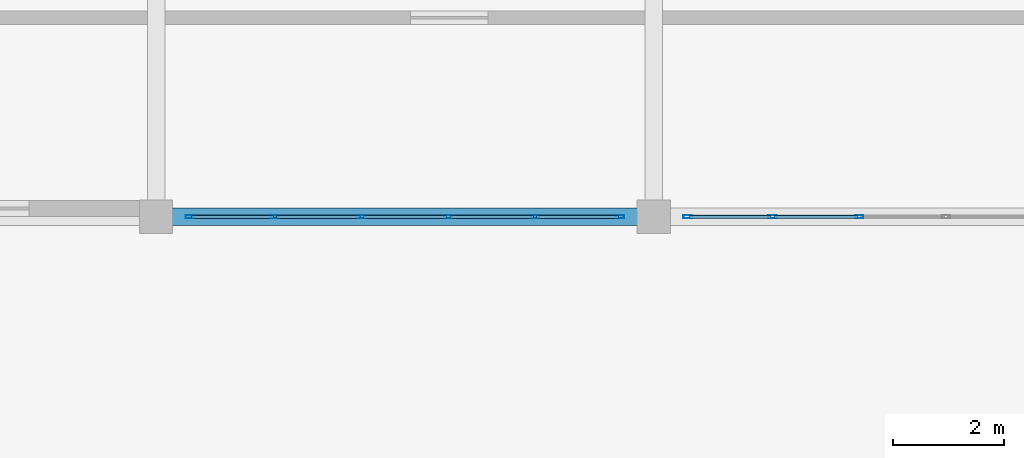
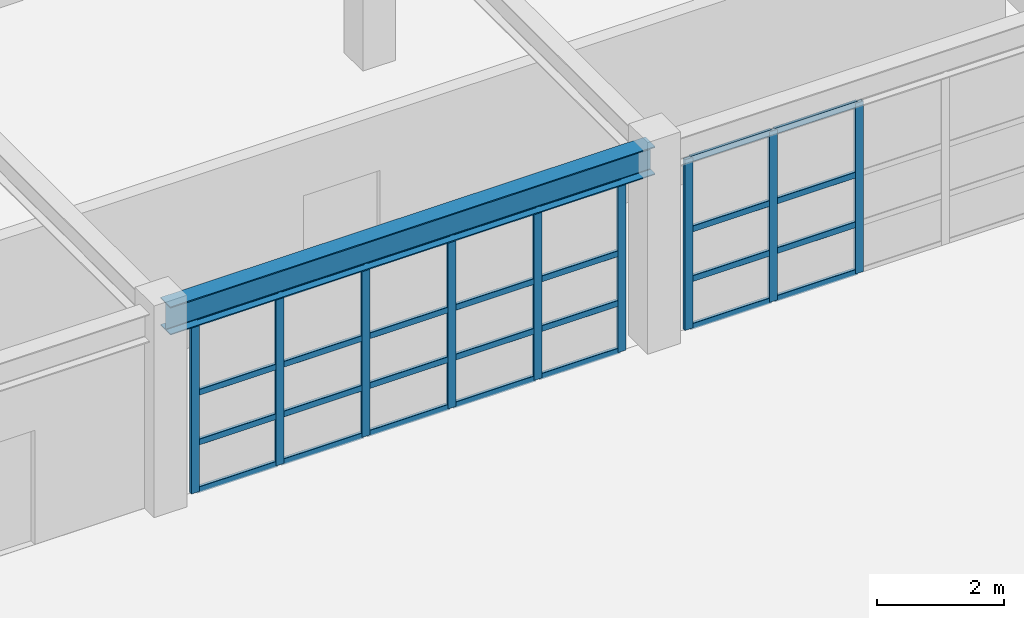
# One storey, part 51 of 80: 37 members, 1 beam, 2 elements without a shape of their own.
"""IFC4 building model written with IfcOpenShell, lengths in metres."""

from ifc_helpers import new_model, si_unit, direction, frame, origin, origin_2d, place, context, subcontext, project, spatial, hollow_rectangle, i_section, extrude, material, material_profile, profile_set, type_object, element, aggregate, save


model = new_model("IFC4")

# Units and contexts
model_context = context("Model", 3, precision=1e-05, world=origin(), true_north=direction((0.0, 1.0)))
body_context = subcontext(model_context, "Body", "Model", "MODEL_VIEW")
ifc_project = project(units=[si_unit("LENGTHUNIT", "METRE"), si_unit("AREAUNIT", "SQUARE_METRE"), si_unit("VOLUMEUNIT", "CUBIC_METRE"), si_unit("PLANEANGLEUNIT", "RADIAN"), si_unit("MASSUNIT", "GRAM", prefix="KILO")], contexts=[model_context])

# Site, building, storey
site_placement = place(None, origin())
site = spatial("IfcSite", under=ifc_project, at=site_placement, CompositionType="ELEMENT")
building_placement = place(site_placement, origin())
building = spatial("IfcBuilding", under=site, at=building_placement, Name="Miravela Opera House", CompositionType="ELEMENT")
storey_placement = place(building_placement, frame((0.0, 0.0, 17.679931640625)))
storey = spatial("IfcBuildingStorey", under=building, at=storey_placement, Name="L04", CompositionType="ELEMENT", Elevation=17.679931640625)

# Curtain wall, members
ifc_material_1 = material(Name="Anodised architectural bronze aluminium 6063-T6", Category="aluminium")
curtain_wall_type = type_object("IfcCurtainWallType", Name="ARC-CW-08", PredefinedType="NOTDEFINED", material=ifc_material_1)
curtain_wall_1_placement = place(storey_placement, origin())
curtain_wall_1 = element("IfcCurtainWall", 1, at=curtain_wall_1_placement, inside=storey, type_object=curtain_wall_type, Name="Courtyard Arcade Curtain Wall CW-L04-204", PredefinedType="NOTDEFINED")
ifc_material_profile_1 = material_profile(ifc_material_1, hollow_rectangle(XDim=0.06005859375, YDim=0.14990234375, WallThickness=0.00390625, InnerFilletRadius=0.001953125, OuterFilletRadius=0.00390625, at=origin_2d()), Name="CWM-60X150")
ifc_profile_set_1 = profile_set([ifc_material_profile_1])
member_type_1 = type_object("IfcMemberType", Name="ARC-CWM-150", PredefinedType="MULLION", material=ifc_profile_set_1)
member_1_placement = place(storey_placement, frame((81.610107421875, 94.0, 0.0), z_axis=(0.0, 0.0, 1.0), x_axis=(0.0, 1.0, 0.0)))
member_1 = element("IfcMember", 2, at=member_1_placement, type_object=member_type_1, Name="CW-08 mullion 1", PredefinedType="MULLION", context=body_context, shape_type="SweptSolid", body=[
    extrude(hollow_rectangle(XDim=0.06005859375, YDim=0.14990234375, WallThickness=0.00390625, InnerFilletRadius=0.001953125, OuterFilletRadius=0.00390625, at=origin_2d()), origin(), (0.0, 0.0, 1.0), 3.2900390625),
])
member_2_placement = place(storey_placement, frame((83.14794921875, 94.0, 0.0), z_axis=(0.0, 0.0, 1.0), x_axis=(0.0, 1.0, 0.0)))
member_2 = element("IfcMember", 3, at=member_2_placement, type_object=member_type_1, Name="CW-08 mullion 2", PredefinedType="MULLION", context=body_context, shape_type="SweptSolid", body=[
    extrude(hollow_rectangle(XDim=0.06005859375, YDim=0.14990234375, WallThickness=0.00390625, InnerFilletRadius=0.001953125, OuterFilletRadius=0.00390625, at=origin_2d()), origin(), (0.0, 0.0, 1.0), 3.2900390625),
])
member_3_placement = place(storey_placement, frame((84.716064453125, 94.0, 0.0), z_axis=(0.0, 0.0, 1.0), x_axis=(0.0, 1.0, 0.0)))
member_3 = element("IfcMember", 4, at=member_3_placement, type_object=member_type_1, Name="CW-08 mullion 3", PredefinedType="MULLION", context=body_context, shape_type="SweptSolid", body=[
    extrude(hollow_rectangle(XDim=0.06005859375, YDim=0.14990234375, WallThickness=0.00390625, InnerFilletRadius=0.001953125, OuterFilletRadius=0.00390625, at=origin_2d()), origin(), (0.0, 0.0, 1.0), 3.2900390625),
])
member_4_placement = place(storey_placement, frame((86.283935546875, 94.0, 0.0), z_axis=(0.0, 0.0, 1.0), x_axis=(0.0, 1.0, 0.0)))
member_4 = element("IfcMember", 5, at=member_4_placement, type_object=member_type_1, Name="CW-08 mullion 4", PredefinedType="MULLION", context=body_context, shape_type="SweptSolid", body=[
    extrude(hollow_rectangle(XDim=0.06005859375, YDim=0.14990234375, WallThickness=0.00390625, InnerFilletRadius=0.001953125, OuterFilletRadius=0.00390625, at=origin_2d()), origin(), (0.0, 0.0, 1.0), 3.2900390625),
])
member_5_placement = place(storey_placement, frame((87.85205078125, 94.0, 0.0), z_axis=(0.0, 0.0, 1.0), x_axis=(0.0, 1.0, 0.0)))
member_5 = element("IfcMember", 6, at=member_5_placement, type_object=member_type_1, Name="CW-08 mullion 5", PredefinedType="MULLION", context=body_context, shape_type="SweptSolid", body=[
    extrude(hollow_rectangle(XDim=0.06005859375, YDim=0.14990234375, WallThickness=0.00390625, InnerFilletRadius=0.001953125, OuterFilletRadius=0.00390625, at=origin_2d()), origin(), (0.0, 0.0, 1.0), 3.2900390625),
])
member_6_placement = place(storey_placement, frame((89.389892578125, 94.0, 0.0), z_axis=(0.0, 0.0, 1.0), x_axis=(0.0, 1.0, 0.0)))
member_6 = element("IfcMember", 7, at=member_6_placement, type_object=member_type_1, Name="CW-08 mullion 6", PredefinedType="MULLION", context=body_context, shape_type="SweptSolid", body=[
    extrude(hollow_rectangle(XDim=0.06005859375, YDim=0.14990234375, WallThickness=0.00390625, InnerFilletRadius=0.001953125, OuterFilletRadius=0.00390625, at=origin_2d()), origin(), (0.0, 0.0, 1.0), 3.2900390625),
])

curtain_wall_2_placement = place(storey_placement, origin())
curtain_wall_2 = element("IfcCurtainWall", 8, at=curtain_wall_2_placement, inside=storey, type_object=curtain_wall_type, Name="Courtyard Arcade Curtain Wall CW-L04-205", PredefinedType="NOTDEFINED")
member_7_placement = place(storey_placement, frame((90.610107421875, 94.0, 0.0), z_axis=(0.0, 0.0, 1.0), x_axis=(0.0, 1.0, 0.0)))
member_7 = element("IfcMember", 9, at=member_7_placement, type_object=member_type_1, Name="CW-08 mullion 1", PredefinedType="MULLION", context=body_context, shape_type="SweptSolid", body=[
    extrude(hollow_rectangle(XDim=0.06005859375, YDim=0.14990234375, WallThickness=0.00390625, InnerFilletRadius=0.001953125, OuterFilletRadius=0.00390625, at=origin_2d()), origin(), (0.0, 0.0, 1.0), 3.2900390625),
])
member_8_placement = place(storey_placement, frame((92.14794921875, 94.0, 0.0), z_axis=(0.0, 0.0, 1.0), x_axis=(0.0, 1.0, 0.0)))
member_8 = element("IfcMember", 10, at=member_8_placement, type_object=member_type_1, Name="CW-08 mullion 2", PredefinedType="MULLION", context=body_context, shape_type="SweptSolid", body=[
    extrude(hollow_rectangle(XDim=0.06005859375, YDim=0.14990234375, WallThickness=0.00390625, InnerFilletRadius=0.001953125, OuterFilletRadius=0.00390625, at=origin_2d()), origin(), (0.0, 0.0, 1.0), 3.2900390625),
])
member_9_placement = place(storey_placement, frame((93.716064453125, 94.0, 0.0), z_axis=(0.0, 0.0, 1.0), x_axis=(0.0, 1.0, 0.0)))
member_9 = element("IfcMember", 11, at=member_9_placement, type_object=member_type_1, Name="CW-08 mullion 3", PredefinedType="MULLION", context=body_context, shape_type="SweptSolid", body=[
    extrude(hollow_rectangle(XDim=0.06005859375, YDim=0.14990234375, WallThickness=0.00390625, InnerFilletRadius=0.001953125, OuterFilletRadius=0.00390625, at=origin_2d()), origin(), (0.0, 0.0, 1.0), 3.2900390625),
])

# Member
ifc_material_profile_2 = material_profile(ifc_material_1, hollow_rectangle(XDim=0.06005859375, YDim=0.114990234375, WallThickness=0.00390625, InnerFilletRadius=0.001953125, OuterFilletRadius=0.00390625, at=origin_2d()), Name="CWT-60X115")
ifc_profile_set_2 = profile_set([ifc_material_profile_2])
member_type_2 = type_object("IfcMemberType", Name="ARC-CWT-115", PredefinedType="USERDEFINED", material=ifc_profile_set_2)
member_10_placement = place(storey_placement, frame((81.639892578125, 94.0, 0.030029296875), z_axis=(1.0, 0.0, 0.0), x_axis=(0.0, 1.0, 0.0)))
member_10 = element("IfcMember", 12, at=member_10_placement, type_object=member_type_2, Name="CW-08 transom 1.1", ObjectType="TRANSOM", PredefinedType="USERDEFINED", context=body_context, shape_type="SweptSolid", body=[
    extrude(hollow_rectangle(XDim=0.06005859375, YDim=0.114990234375, WallThickness=0.00390625, InnerFilletRadius=0.001953125, OuterFilletRadius=0.00390625, at=origin_2d()), origin(), (0.0, 0.0, 1.0), 1.47802734375),
])

member_11_placement = place(storey_placement, frame((81.639892578125, 94.0, 0.949951171875), z_axis=(1.0, 0.0, 0.0), x_axis=(0.0, 1.0, 0.0)))
member_11 = element("IfcMember", 13, at=member_11_placement, type_object=member_type_2, Name="CW-08 transom 1.2", ObjectType="TRANSOM", PredefinedType="USERDEFINED", context=body_context, shape_type="SweptSolid", body=[
    extrude(hollow_rectangle(XDim=0.06005859375, YDim=0.114990234375, WallThickness=0.00390625, InnerFilletRadius=0.001953125, OuterFilletRadius=0.00390625, at=origin_2d()), origin(), (0.0, 0.0, 1.0), 1.47802734375),
])

member_12_placement = place(storey_placement, frame((81.639892578125, 94.0, 1.908203125), z_axis=(1.0, 0.0, 0.0), x_axis=(0.0, 1.0, 0.0)))
member_12 = element("IfcMember", 14, at=member_12_placement, type_object=member_type_2, Name="CW-08 transom 1.3", ObjectType="TRANSOM", PredefinedType="USERDEFINED", context=body_context, shape_type="SweptSolid", body=[
    extrude(hollow_rectangle(XDim=0.06005859375, YDim=0.114990234375, WallThickness=0.00390625, InnerFilletRadius=0.001953125, OuterFilletRadius=0.00390625, at=origin_2d()), origin(), (0.0, 0.0, 1.0), 1.47802734375),
])

member_13_placement = place(storey_placement, frame((81.639892578125, 94.0, 3.260009765625), z_axis=(1.0, 0.0, 0.0), x_axis=(0.0, 1.0, 0.0)))
member_13 = element("IfcMember", 15, at=member_13_placement, type_object=member_type_2, Name="CW-08 transom 1.4", ObjectType="TRANSOM", PredefinedType="USERDEFINED", context=body_context, shape_type="SweptSolid", body=[
    extrude(hollow_rectangle(XDim=0.06005859375, YDim=0.114990234375, WallThickness=0.00390625, InnerFilletRadius=0.001953125, OuterFilletRadius=0.00390625, at=origin_2d()), origin(), (0.0, 0.0, 1.0), 1.47802734375),
])

member_14_placement = place(storey_placement, frame((83.177978515625, 94.0, 0.030029296875), z_axis=(1.0, 0.0, 0.0), x_axis=(0.0, 1.0, 0.0)))
member_14 = element("IfcMember", 16, at=member_14_placement, type_object=member_type_2, Name="CW-08 transom 2.1", ObjectType="TRANSOM", PredefinedType="USERDEFINED", context=body_context, shape_type="SweptSolid", body=[
    extrude(hollow_rectangle(XDim=0.06005859375, YDim=0.114990234375, WallThickness=0.00390625, InnerFilletRadius=0.001953125, OuterFilletRadius=0.00390625, at=origin_2d()), origin(), (0.0, 0.0, 1.0), 1.508056640625),
])

member_15_placement = place(storey_placement, frame((83.177978515625, 94.0, 0.949951171875), z_axis=(1.0, 0.0, 0.0), x_axis=(0.0, 1.0, 0.0)))
member_15 = element("IfcMember", 17, at=member_15_placement, type_object=member_type_2, Name="CW-08 transom 2.2", ObjectType="TRANSOM", PredefinedType="USERDEFINED", context=body_context, shape_type="SweptSolid", body=[
    extrude(hollow_rectangle(XDim=0.06005859375, YDim=0.114990234375, WallThickness=0.00390625, InnerFilletRadius=0.001953125, OuterFilletRadius=0.00390625, at=origin_2d()), origin(), (0.0, 0.0, 1.0), 1.508056640625),
])

member_16_placement = place(storey_placement, frame((83.177978515625, 94.0, 1.908203125), z_axis=(1.0, 0.0, 0.0), x_axis=(0.0, 1.0, 0.0)))
member_16 = element("IfcMember", 18, at=member_16_placement, type_object=member_type_2, Name="CW-08 transom 2.3", ObjectType="TRANSOM", PredefinedType="USERDEFINED", context=body_context, shape_type="SweptSolid", body=[
    extrude(hollow_rectangle(XDim=0.06005859375, YDim=0.114990234375, WallThickness=0.00390625, InnerFilletRadius=0.001953125, OuterFilletRadius=0.00390625, at=origin_2d()), origin(), (0.0, 0.0, 1.0), 1.508056640625),
])

member_17_placement = place(storey_placement, frame((83.177978515625, 94.0, 3.260009765625), z_axis=(1.0, 0.0, 0.0), x_axis=(0.0, 1.0, 0.0)))
member_17 = element("IfcMember", 19, at=member_17_placement, type_object=member_type_2, Name="CW-08 transom 2.4", ObjectType="TRANSOM", PredefinedType="USERDEFINED", context=body_context, shape_type="SweptSolid", body=[
    extrude(hollow_rectangle(XDim=0.06005859375, YDim=0.114990234375, WallThickness=0.00390625, InnerFilletRadius=0.001953125, OuterFilletRadius=0.00390625, at=origin_2d()), origin(), (0.0, 0.0, 1.0), 1.508056640625),
])

member_18_placement = place(storey_placement, frame((84.74609375, 94.0, 0.030029296875), z_axis=(1.0, 0.0, 0.0), x_axis=(0.0, 1.0, 0.0)))
member_18 = element("IfcMember", 20, at=member_18_placement, type_object=member_type_2, Name="CW-08 transom 3.1", ObjectType="TRANSOM", PredefinedType="USERDEFINED", context=body_context, shape_type="SweptSolid", body=[
    extrude(hollow_rectangle(XDim=0.06005859375, YDim=0.114990234375, WallThickness=0.00390625, InnerFilletRadius=0.001953125, OuterFilletRadius=0.00390625, at=origin_2d()), origin(), (0.0, 0.0, 1.0), 1.5078125),
])

member_19_placement = place(storey_placement, frame((84.74609375, 94.0, 0.949951171875), z_axis=(1.0, 0.0, 0.0), x_axis=(0.0, 1.0, 0.0)))
member_19 = element("IfcMember", 21, at=member_19_placement, type_object=member_type_2, Name="CW-08 transom 3.2", ObjectType="TRANSOM", PredefinedType="USERDEFINED", context=body_context, shape_type="SweptSolid", body=[
    extrude(hollow_rectangle(XDim=0.06005859375, YDim=0.114990234375, WallThickness=0.00390625, InnerFilletRadius=0.001953125, OuterFilletRadius=0.00390625, at=origin_2d()), origin(), (0.0, 0.0, 1.0), 1.5078125),
])

member_20_placement = place(storey_placement, frame((84.74609375, 94.0, 1.908203125), z_axis=(1.0, 0.0, 0.0), x_axis=(0.0, 1.0, 0.0)))
member_20 = element("IfcMember", 22, at=member_20_placement, type_object=member_type_2, Name="CW-08 transom 3.3", ObjectType="TRANSOM", PredefinedType="USERDEFINED", context=body_context, shape_type="SweptSolid", body=[
    extrude(hollow_rectangle(XDim=0.06005859375, YDim=0.114990234375, WallThickness=0.00390625, InnerFilletRadius=0.001953125, OuterFilletRadius=0.00390625, at=origin_2d()), origin(), (0.0, 0.0, 1.0), 1.5078125),
])

member_21_placement = place(storey_placement, frame((84.74609375, 94.0, 3.260009765625), z_axis=(1.0, 0.0, 0.0), x_axis=(0.0, 1.0, 0.0)))
member_21 = element("IfcMember", 23, at=member_21_placement, type_object=member_type_2, Name="CW-08 transom 3.4", ObjectType="TRANSOM", PredefinedType="USERDEFINED", context=body_context, shape_type="SweptSolid", body=[
    extrude(hollow_rectangle(XDim=0.06005859375, YDim=0.114990234375, WallThickness=0.00390625, InnerFilletRadius=0.001953125, OuterFilletRadius=0.00390625, at=origin_2d()), origin(), (0.0, 0.0, 1.0), 1.5078125),
])

member_22_placement = place(storey_placement, frame((86.31396484375, 94.0, 0.030029296875), z_axis=(1.0, 0.0, 0.0), x_axis=(0.0, 1.0, 0.0)))
member_22 = element("IfcMember", 24, at=member_22_placement, type_object=member_type_2, Name="CW-08 transom 4.1", ObjectType="TRANSOM", PredefinedType="USERDEFINED", context=body_context, shape_type="SweptSolid", body=[
    extrude(hollow_rectangle(XDim=0.06005859375, YDim=0.114990234375, WallThickness=0.00390625, InnerFilletRadius=0.001953125, OuterFilletRadius=0.00390625, at=origin_2d()), origin(), (0.0, 0.0, 1.0), 1.508056640625),
])

member_23_placement = place(storey_placement, frame((86.31396484375, 94.0, 0.949951171875), z_axis=(1.0, 0.0, 0.0), x_axis=(0.0, 1.0, 0.0)))
member_23 = element("IfcMember", 25, at=member_23_placement, type_object=member_type_2, Name="CW-08 transom 4.2", ObjectType="TRANSOM", PredefinedType="USERDEFINED", context=body_context, shape_type="SweptSolid", body=[
    extrude(hollow_rectangle(XDim=0.06005859375, YDim=0.114990234375, WallThickness=0.00390625, InnerFilletRadius=0.001953125, OuterFilletRadius=0.00390625, at=origin_2d()), origin(), (0.0, 0.0, 1.0), 1.508056640625),
])

member_24_placement = place(storey_placement, frame((86.31396484375, 94.0, 1.908203125), z_axis=(1.0, 0.0, 0.0), x_axis=(0.0, 1.0, 0.0)))
member_24 = element("IfcMember", 26, at=member_24_placement, type_object=member_type_2, Name="CW-08 transom 4.3", ObjectType="TRANSOM", PredefinedType="USERDEFINED", context=body_context, shape_type="SweptSolid", body=[
    extrude(hollow_rectangle(XDim=0.06005859375, YDim=0.114990234375, WallThickness=0.00390625, InnerFilletRadius=0.001953125, OuterFilletRadius=0.00390625, at=origin_2d()), origin(), (0.0, 0.0, 1.0), 1.508056640625),
])

member_25_placement = place(storey_placement, frame((86.31396484375, 94.0, 3.260009765625), z_axis=(1.0, 0.0, 0.0), x_axis=(0.0, 1.0, 0.0)))
member_25 = element("IfcMember", 27, at=member_25_placement, type_object=member_type_2, Name="CW-08 transom 4.4", ObjectType="TRANSOM", PredefinedType="USERDEFINED", context=body_context, shape_type="SweptSolid", body=[
    extrude(hollow_rectangle(XDim=0.06005859375, YDim=0.114990234375, WallThickness=0.00390625, InnerFilletRadius=0.001953125, OuterFilletRadius=0.00390625, at=origin_2d()), origin(), (0.0, 0.0, 1.0), 1.508056640625),
])

member_26_placement = place(storey_placement, frame((87.882080078125, 94.0, 0.030029296875), z_axis=(1.0, 0.0, 0.0), x_axis=(0.0, 1.0, 0.0)))
member_26 = element("IfcMember", 28, at=member_26_placement, type_object=member_type_2, Name="CW-08 transom 5.1", ObjectType="TRANSOM", PredefinedType="USERDEFINED", context=body_context, shape_type="SweptSolid", body=[
    extrude(hollow_rectangle(XDim=0.06005859375, YDim=0.114990234375, WallThickness=0.00390625, InnerFilletRadius=0.001953125, OuterFilletRadius=0.00390625, at=origin_2d()), origin(), (0.0, 0.0, 1.0), 1.47802734375),
])

member_27_placement = place(storey_placement, frame((87.882080078125, 94.0, 0.949951171875), z_axis=(1.0, 0.0, 0.0), x_axis=(0.0, 1.0, 0.0)))
member_27 = element("IfcMember", 29, at=member_27_placement, type_object=member_type_2, Name="CW-08 transom 5.2", ObjectType="TRANSOM", PredefinedType="USERDEFINED", context=body_context, shape_type="SweptSolid", body=[
    extrude(hollow_rectangle(XDim=0.06005859375, YDim=0.114990234375, WallThickness=0.00390625, InnerFilletRadius=0.001953125, OuterFilletRadius=0.00390625, at=origin_2d()), origin(), (0.0, 0.0, 1.0), 1.47802734375),
])

member_28_placement = place(storey_placement, frame((87.882080078125, 94.0, 1.908203125), z_axis=(1.0, 0.0, 0.0), x_axis=(0.0, 1.0, 0.0)))
member_28 = element("IfcMember", 30, at=member_28_placement, type_object=member_type_2, Name="CW-08 transom 5.3", ObjectType="TRANSOM", PredefinedType="USERDEFINED", context=body_context, shape_type="SweptSolid", body=[
    extrude(hollow_rectangle(XDim=0.06005859375, YDim=0.114990234375, WallThickness=0.00390625, InnerFilletRadius=0.001953125, OuterFilletRadius=0.00390625, at=origin_2d()), origin(), (0.0, 0.0, 1.0), 1.47802734375),
])

member_29_placement = place(storey_placement, frame((87.882080078125, 94.0, 3.260009765625), z_axis=(1.0, 0.0, 0.0), x_axis=(0.0, 1.0, 0.0)))
member_29 = element("IfcMember", 31, at=member_29_placement, type_object=member_type_2, Name="CW-08 transom 5.4", ObjectType="TRANSOM", PredefinedType="USERDEFINED", context=body_context, shape_type="SweptSolid", body=[
    extrude(hollow_rectangle(XDim=0.06005859375, YDim=0.114990234375, WallThickness=0.00390625, InnerFilletRadius=0.001953125, OuterFilletRadius=0.00390625, at=origin_2d()), origin(), (0.0, 0.0, 1.0), 1.47802734375),
])

aggregate(curtain_wall_1, [member_1, member_2, member_3, member_4, member_5, member_6, member_10, member_11, member_12, member_13, member_14, member_15, member_16, member_17, member_18, member_19, member_20, member_21, member_22, member_23, member_24, member_25, member_26, member_27, member_28, member_29])

member_30_placement = place(storey_placement, frame((90.639892578125, 94.0, 0.030029296875), z_axis=(1.0, 0.0, 0.0), x_axis=(0.0, 1.0, 0.0)))
member_30 = element("IfcMember", 32, at=member_30_placement, type_object=member_type_2, Name="CW-08 transom 1.1", ObjectType="TRANSOM", PredefinedType="USERDEFINED", context=body_context, shape_type="SweptSolid", body=[
    extrude(hollow_rectangle(XDim=0.06005859375, YDim=0.114990234375, WallThickness=0.00390625, InnerFilletRadius=0.001953125, OuterFilletRadius=0.00390625, at=origin_2d()), origin(), (0.0, 0.0, 1.0), 1.47802734375),
])

member_31_placement = place(storey_placement, frame((90.639892578125, 94.0, 0.949951171875), z_axis=(1.0, 0.0, 0.0), x_axis=(0.0, 1.0, 0.0)))
member_31 = element("IfcMember", 33, at=member_31_placement, type_object=member_type_2, Name="CW-08 transom 1.2", ObjectType="TRANSOM", PredefinedType="USERDEFINED", context=body_context, shape_type="SweptSolid", body=[
    extrude(hollow_rectangle(XDim=0.06005859375, YDim=0.114990234375, WallThickness=0.00390625, InnerFilletRadius=0.001953125, OuterFilletRadius=0.00390625, at=origin_2d()), origin(), (0.0, 0.0, 1.0), 1.47802734375),
])

member_32_placement = place(storey_placement, frame((90.639892578125, 94.0, 1.908203125), z_axis=(1.0, 0.0, 0.0), x_axis=(0.0, 1.0, 0.0)))
member_32 = element("IfcMember", 34, at=member_32_placement, type_object=member_type_2, Name="CW-08 transom 1.3", ObjectType="TRANSOM", PredefinedType="USERDEFINED", context=body_context, shape_type="SweptSolid", body=[
    extrude(hollow_rectangle(XDim=0.06005859375, YDim=0.114990234375, WallThickness=0.00390625, InnerFilletRadius=0.001953125, OuterFilletRadius=0.00390625, at=origin_2d()), origin(), (0.0, 0.0, 1.0), 1.47802734375),
])

member_33_placement = place(storey_placement, frame((90.639892578125, 94.0, 3.260009765625), z_axis=(1.0, 0.0, 0.0), x_axis=(0.0, 1.0, 0.0)))
member_33 = element("IfcMember", 35, at=member_33_placement, type_object=member_type_2, Name="CW-08 transom 1.4", ObjectType="TRANSOM", PredefinedType="USERDEFINED", context=body_context, shape_type="SweptSolid", body=[
    extrude(hollow_rectangle(XDim=0.06005859375, YDim=0.114990234375, WallThickness=0.00390625, InnerFilletRadius=0.001953125, OuterFilletRadius=0.00390625, at=origin_2d()), origin(), (0.0, 0.0, 1.0), 1.47802734375),
])

member_34_placement = place(storey_placement, frame((92.177978515625, 94.0, 0.030029296875), z_axis=(1.0, 0.0, 0.0), x_axis=(0.0, 1.0, 0.0)))
member_34 = element("IfcMember", 36, at=member_34_placement, type_object=member_type_2, Name="CW-08 transom 2.1", ObjectType="TRANSOM", PredefinedType="USERDEFINED", context=body_context, shape_type="SweptSolid", body=[
    extrude(hollow_rectangle(XDim=0.06005859375, YDim=0.114990234375, WallThickness=0.00390625, InnerFilletRadius=0.001953125, OuterFilletRadius=0.00390625, at=origin_2d()), origin(), (0.0, 0.0, 1.0), 1.508056640625),
])

member_35_placement = place(storey_placement, frame((92.177978515625, 94.0, 0.949951171875), z_axis=(1.0, 0.0, 0.0), x_axis=(0.0, 1.0, 0.0)))
member_35 = element("IfcMember", 37, at=member_35_placement, type_object=member_type_2, Name="CW-08 transom 2.2", ObjectType="TRANSOM", PredefinedType="USERDEFINED", context=body_context, shape_type="SweptSolid", body=[
    extrude(hollow_rectangle(XDim=0.06005859375, YDim=0.114990234375, WallThickness=0.00390625, InnerFilletRadius=0.001953125, OuterFilletRadius=0.00390625, at=origin_2d()), origin(), (0.0, 0.0, 1.0), 1.508056640625),
])

member_36_placement = place(storey_placement, frame((92.177978515625, 94.0, 1.908203125), z_axis=(1.0, 0.0, 0.0), x_axis=(0.0, 1.0, 0.0)))
member_36 = element("IfcMember", 38, at=member_36_placement, type_object=member_type_2, Name="CW-08 transom 2.3", ObjectType="TRANSOM", PredefinedType="USERDEFINED", context=body_context, shape_type="SweptSolid", body=[
    extrude(hollow_rectangle(XDim=0.06005859375, YDim=0.114990234375, WallThickness=0.00390625, InnerFilletRadius=0.001953125, OuterFilletRadius=0.00390625, at=origin_2d()), origin(), (0.0, 0.0, 1.0), 1.508056640625),
])

member_37_placement = place(storey_placement, frame((92.177978515625, 94.0, 3.260009765625), z_axis=(1.0, 0.0, 0.0), x_axis=(0.0, 1.0, 0.0)))
member_37 = element("IfcMember", 39, at=member_37_placement, type_object=member_type_2, Name="CW-08 transom 2.4", ObjectType="TRANSOM", PredefinedType="USERDEFINED", context=body_context, shape_type="SweptSolid", body=[
    extrude(hollow_rectangle(XDim=0.06005859375, YDim=0.114990234375, WallThickness=0.00390625, InnerFilletRadius=0.001953125, OuterFilletRadius=0.00390625, at=origin_2d()), origin(), (0.0, 0.0, 1.0), 1.508056640625),
])

aggregate(curtain_wall_2, [member_7, member_8, member_9, member_30, member_31, member_32, member_33, member_34, member_35, member_36, member_37])

# Beam
ifc_material_2 = material(Name="Structural steel ASTM A992 Gr. 50", Category="steel")
ifc_material_profile_3 = material_profile(ifc_material_2, i_section(OverallWidth=0.31201171875, OverallDepth=0.54296875, WebThickness=0.0126953125, FlangeThickness=0.020263671875, FilletRadius=0.01611328125, at=origin_2d()), Name="W530X150")
ifc_profile_set_3 = profile_set([ifc_material_profile_3])
beam_type = type_object("IfcBeamType", Name="STR-BM-W530X150", PredefinedType="BEAM", material=ifc_profile_set_3)
beam_placement = place(storey_placement, frame((81.080078125, 94.0, 3.568603515625), z_axis=(1.0, 0.0, 0.0), x_axis=(0.0, 1.0, 0.0)))
element("IfcBeam", 40, at=beam_placement, inside=storey, type_object=beam_type, Name="Roof Eave Girder ROOF-V3-TOP S3", PredefinedType="BEAM", context=body_context, shape_type="SweptSolid", body=[
    extrude(i_section(OverallWidth=0.31201171875, OverallDepth=0.54296875, WebThickness=0.0126953125, FlangeThickness=0.020263671875, FilletRadius=0.01611328125, at=origin_2d()), origin(), (0.0, 0.0, 1.0), 8.83984375),
])

save(model, "model.ifc")
